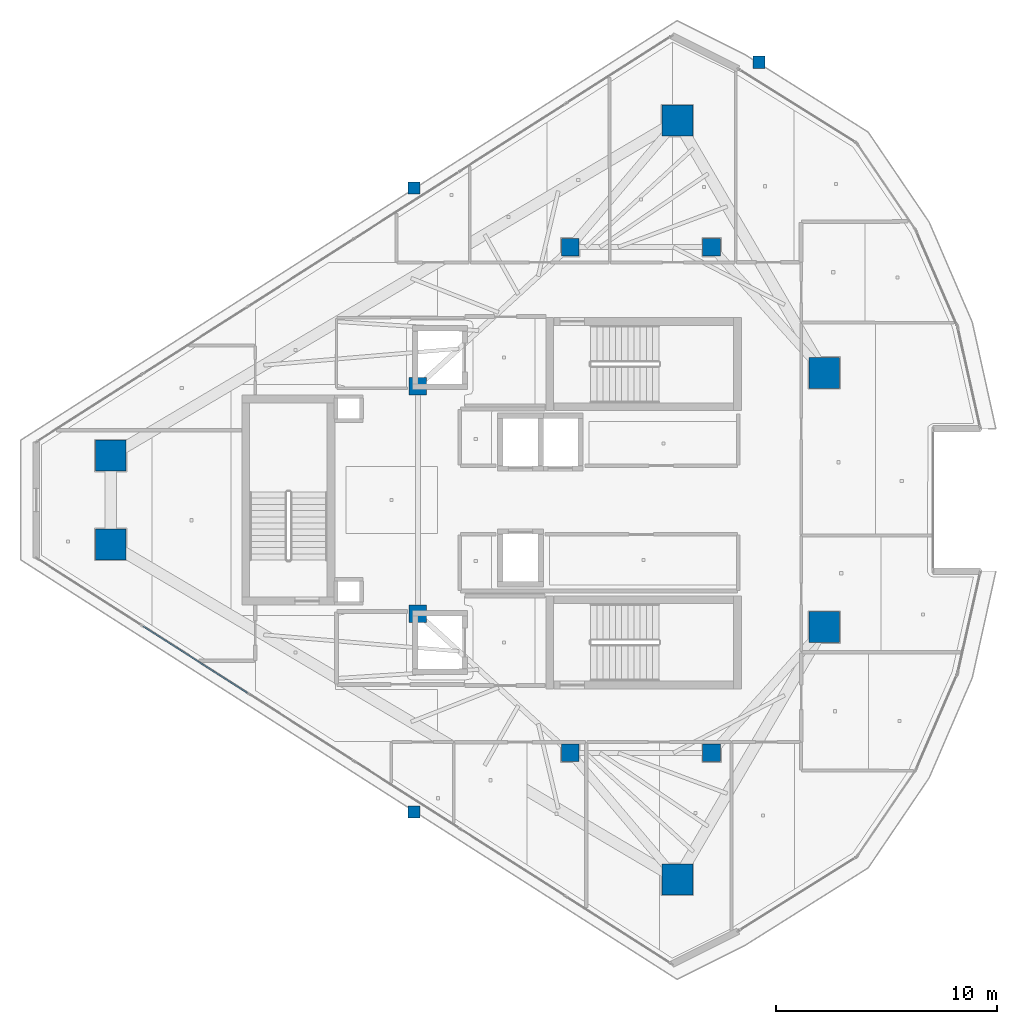
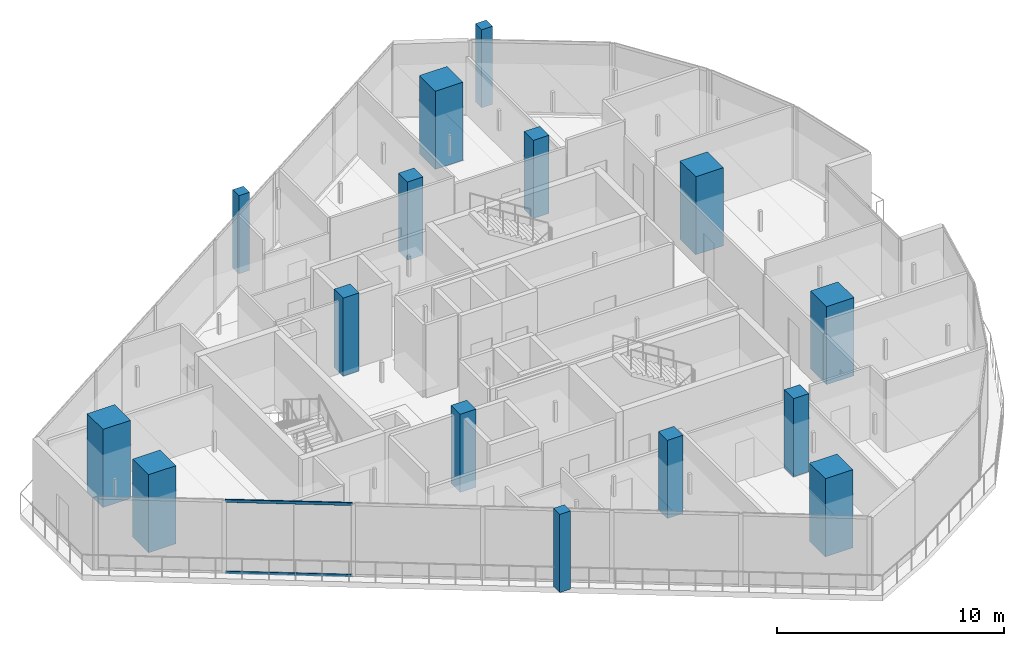
# One storey, part 1 of 24: 15 columns, 2 members, 1 element without a shape of its own.
"""IFC4 building model written with IfcOpenShell, lengths in metres."""

from ifc_helpers import new_model, si_unit, direction, frame, origin, origin_2d, place, context, subcontext, project, spatial, rectangle, hollow_rectangle, extrude, material, layer, layer_set, material_profile, profile_set, type_object, element, aggregate, save


model = new_model("IFC4")

# Units and contexts
model_context = context("Model", 3, precision=1e-05, world=origin(), true_north=direction((0.0, 1.0)))
body_context = subcontext(model_context, "Body", "Model", "MODEL_VIEW")
ifc_project = project(units=[si_unit("LENGTHUNIT", "METRE"), si_unit("AREAUNIT", "SQUARE_METRE"), si_unit("VOLUMEUNIT", "CUBIC_METRE"), si_unit("PLANEANGLEUNIT", "RADIAN"), si_unit("MASSUNIT", "GRAM", prefix="KILO")], contexts=[model_context])

# Site, building, storey
site_placement = place(None, origin())
site = spatial("IfcSite", under=ifc_project, at=site_placement, CompositionType="ELEMENT")
building_placement = place(site_placement, origin())
building = spatial("IfcBuilding", under=site, at=building_placement, Name="Qorvath Tower", CompositionType="ELEMENT")
storey_placement = place(building_placement, frame((0.0, 0.0, 318.60009765625)))
storey = spatial("IfcBuildingStorey", under=building, at=storey_placement, Name="L74", CompositionType="ELEMENT", Elevation=318.60009765625)

# Columns
ifc_material_1 = material(Name="Concrete C50/60", Category="concrete")
ifc_material_profile_1 = material_profile(ifc_material_1, rectangle(XDim=1.39990234375, YDim=1.39990234375, at=origin_2d()), Name="MC 1400x1400")
ifc_profile_set_1 = profile_set([ifc_material_profile_1], Name="Concrete C50/60")
column_type_1 = type_object("IfcColumnType", Name="COL-MC6", PredefinedType="COLUMN", material=ifc_profile_set_1)
for number, where, z_axis, x_axis, name in (
    (1, (-44.402587890625, 2.007568359375, 0.0), (0.0, 0.0, 1.0), (1.0, 0.0, 0.0), "Composite Mega-Column MC1 L74"),
    (2, (-44.402587890625, -2.007568359375, 0.0), (0.0, 0.0, 1.0), (1.0, 0.0, 0.0), "Composite Mega-Column MC2 L74"),
    (3, (-18.75048828125, -17.175537109375, 0.0), (0.0, 0.0, 1.0), (1.0, 0.0, 0.0), "Composite Mega-Column MC3 L74"),
    (4, (-12.0966796875, -5.7578125, 0.0), (0.0, 0.0, 1.0), (1.0, 0.0, 0.0), "Composite Mega-Column MC4 L74"),
    (5, (-12.0966796875, 5.7578125, 0.0), (0.0, 0.0, 1.0), (1.0, 0.0, 0.0), "Composite Mega-Column MC5 L74"),
    (6, (-18.75048828125, 17.175537109375, 0.0), (0.0, 0.0, 1.0), (1.0, 0.0, 0.0), "Composite Mega-Column MC6 L74"),
):
    element("IfcColumn", number, at=place(storey_placement, frame(where, z_axis=z_axis, x_axis=x_axis)), inside=storey, type_object=column_type_1, Name=name, PredefinedType="COLUMN", context=body_context, shape_type="SweptSolid", body=[
        extrude(rectangle(XDim=1.39990234375, YDim=1.39990234375, at=origin_2d()), origin(), (0.0, 0.0, 1.0), 4.199951171875),
    ])
ifc_material_2 = material(Name="Concrete C50/60", Category="concrete")
ifc_material_profile_2 = material_profile(ifc_material_2, rectangle(XDim=0.800048828125, YDim=0.800048828125, at=origin_2d()), Name="RC 800x800")
ifc_profile_set_2 = profile_set([ifc_material_profile_2], Name="Concrete C50/60")
column_type_2 = type_object("IfcColumnType", Name="COL-RC4", PredefinedType="COLUMN", material=ifc_profile_set_2)
for number, where, z_axis, x_axis, name in (
    (7, (-23.60009765625, 11.449951171875, 0.0), (0.0, 0.0, 1.0), (1.0, 0.0, 0.0), "Core Spine Column CC1 L74"),
    (8, (-17.199951171875, 11.449951171875, 0.0), (0.0, 0.0, 1.0), (1.0, 0.0, 0.0), "Core Spine Column CC2 L74"),
    (9, (-17.199951171875, -11.449951171875, 0.0), (0.0, 0.0, 1.0), (1.0, 0.0, 0.0), "Core Spine Column CC3 L74"),
    (10, (-23.60009765625, -11.449951171875, 0.0), (0.0, 0.0, 1.0), (1.0, 0.0, 0.0), "Core Spine Column CC4 L74"),
    (11, (-30.5, 5.14990234375, 0.0), (0.0, 0.0, 1.0), (1.0, 0.0, 0.0), "Core Spine Column CC5 L74"),
    (12, (-30.5, -5.14990234375, 0.0), (0.0, 0.0, 1.0), (1.0, 0.0, 0.0), "Core Spine Column CC6 L74"),
):
    element("IfcColumn", number, at=place(storey_placement, frame(where, z_axis=z_axis, x_axis=x_axis)), inside=storey, type_object=column_type_2, Name=name, PredefinedType="COLUMN", context=body_context, shape_type="SweptSolid", body=[
        extrude(rectangle(XDim=0.800048828125, YDim=0.800048828125, at=origin_2d()), origin(), (0.0, 0.0, 1.0), 4.199951171875),
    ])
ifc_material_3 = material(Name="Concrete C45/55", Category="concrete")
ifc_material_profile_3 = material_profile(ifc_material_3, rectangle(XDim=0.550048828125, YDim=0.550048828125, at=origin_2d()), Name="RC 550x550")
ifc_profile_set_3 = profile_set([ifc_material_profile_3], Name="Concrete C45/55")
column_type_3 = type_object("IfcColumnType", Name="COL-RC7", PredefinedType="COLUMN", material=ifc_profile_set_3)
for number, where, z_axis, x_axis, name in (
    (13, (-30.67724609375, 14.124267578125, 0.0), (0.0, 0.0, 1.0), (1.0, 0.0, 0.0), "Loggia Frame Pier Column LGH1 L74"),
    (14, (-30.67724609375, -14.124267578125, 0.0), (0.0, 0.0, 1.0), (1.0, 0.0, 0.0), "Loggia Frame Pier Column LGH2 L74"),
    (15, (-15.046142578125, 19.818115234375, 0.0), (0.0, 0.0, 1.0), (1.0, 0.0, 0.0), "Loggia Frame Pier Column LGH3 L74"),
):
    element("IfcColumn", number, at=place(storey_placement, frame(where, z_axis=z_axis, x_axis=x_axis)), inside=storey, type_object=column_type_3, Name=name, PredefinedType="COLUMN", context=body_context, shape_type="SweptSolid", body=[
        extrude(rectangle(XDim=0.550048828125, YDim=0.550048828125, at=origin_2d()), origin(), (0.0, 0.0, 1.0), 4.199951171875),
    ])

# Curtain wall, members
ifc_material_4 = material(Name="Anodised aluminium and triple low-E glass", Category="aluminium")
ifc_layer = layer(ifc_material_4, 0.179931640625)
ifc_layer_set = layer_set([ifc_layer], Name="CW-SYS-4")
curtain_wall_type = type_object("IfcCurtainWallType", Name="CW-SYS-4", PredefinedType="NOTDEFINED", material=ifc_layer_set)
curtain_wall_placement = place(storey_placement, origin())
curtain_wall = element("IfcCurtainWall", 16, at=curtain_wall_placement, inside=storey, type_object=curtain_wall_type, Name="Curtain Wall CW-4 CW-T-L74-2.1", PredefinedType="NOTDEFINED")
ifc_material_5 = material(Name="Anodised aluminium 6063-T6", Category="aluminium")
ifc_material_profile_4 = material_profile(ifc_material_5, hollow_rectangle(XDim=0.06494140625, YDim=0.159912109375, WallThickness=0.00341796875, InnerFilletRadius=0.00341796875, OuterFilletRadius=0.007080078125, at=origin_2d()), Name="CWT 160x65")
ifc_profile_set_4 = profile_set([ifc_material_profile_4], Name="Anodised aluminium 6063-T6")
member_type = type_object("IfcMemberType", Name="CWT-160", PredefinedType="USERDEFINED", material=ifc_profile_set_4)
member_1_placement = place(storey_placement, frame((-42.9423828125, -5.712890625, 0.032470703125), z_axis=(0.842607508841, -0.538528166436, 0.0), x_axis=(0.538528166436, 0.842607508841, 0.0)))
member_1 = element("IfcMember", 17, at=member_1_placement, type_object=member_type, Name="CW-4 transom 2.1", ObjectType="TRANSOM", PredefinedType="USERDEFINED", context=body_context, shape_type="SweptSolid", body=[
    extrude(hollow_rectangle(XDim=0.06494140625, YDim=0.159912109375, WallThickness=0.00341796875, InnerFilletRadius=0.00341796875, OuterFilletRadius=0.007080078125, at=origin_2d()), origin(), (0.0, 0.0, 1.0), 5.616943359375),
])
member_2_placement = place(storey_placement, frame((-42.9423828125, -5.712890625, 3.87744140625), z_axis=(0.842607508841, -0.538528166436, 0.0), x_axis=(0.538528166436, 0.842607508841, 0.0)))
member_2 = element("IfcMember", 18, at=member_2_placement, type_object=member_type, Name="CW-4 transom 2.2", ObjectType="TRANSOM", PredefinedType="USERDEFINED", context=body_context, shape_type="SweptSolid", body=[
    extrude(hollow_rectangle(XDim=0.06494140625, YDim=0.159912109375, WallThickness=0.00341796875, InnerFilletRadius=0.00341796875, OuterFilletRadius=0.007080078125, at=origin_2d()), origin(), (0.0, 0.0, 1.0), 5.616943359375),
])
aggregate(curtain_wall, [member_1, member_2])

save(model, "model.ifc")
